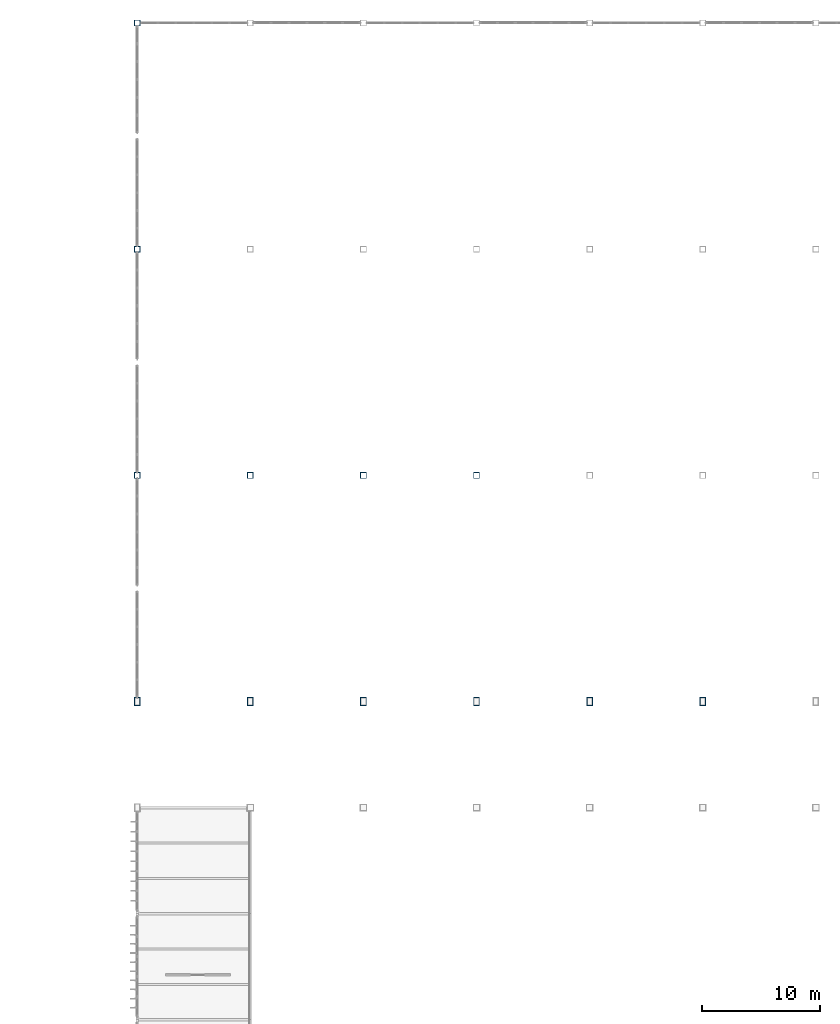
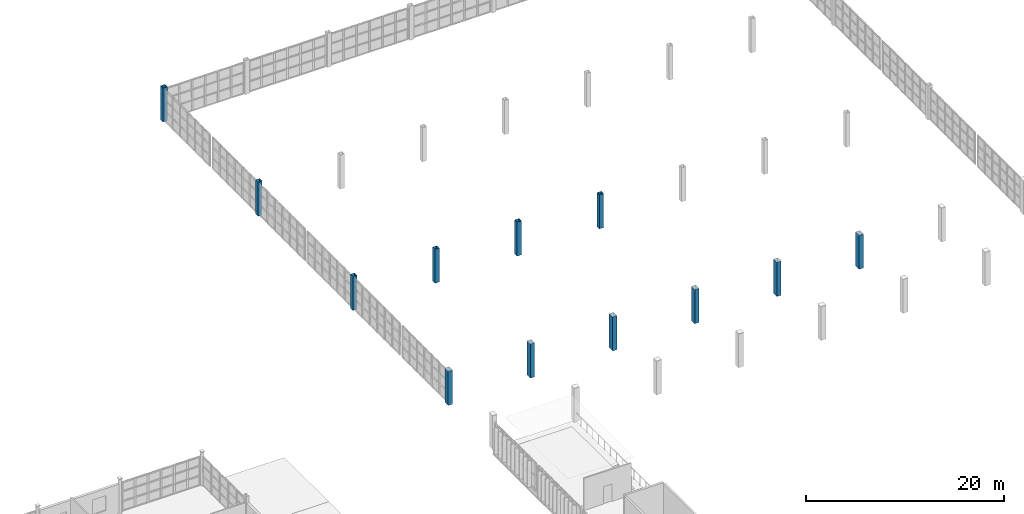
# One storey, part 8 of 82: 12 columns.
"""IFC4 building model written with IfcOpenShell, lengths in metres."""

from ifc_helpers import new_model, si_unit, direction, frame, origin, origin_2d, place, context, subcontext, project, spatial, hollow_rectangle, extrude, material, material_profile, profile_set, type_object, element, save


model = new_model("IFC4")

# Units and contexts
model_context = context("Model", 3, precision=1e-05, world=origin(), true_north=direction((0.0, 1.0)))
body_context = subcontext(model_context, "Body", "Model", "MODEL_VIEW")
ifc_project = project(units=[si_unit("LENGTHUNIT", "METRE"), si_unit("AREAUNIT", "SQUARE_METRE"), si_unit("VOLUMEUNIT", "CUBIC_METRE"), si_unit("PLANEANGLEUNIT", "RADIAN"), si_unit("MASSUNIT", "GRAM", prefix="KILO")], contexts=[model_context])

# Site, building, storey
site_placement = place(None, origin())
site = spatial("IfcSite", under=ifc_project, at=site_placement, CompositionType="ELEMENT")
building_placement = place(site_placement, origin())
building = spatial("IfcBuilding", under=site, at=building_placement, Name="Zarnetskaya Central Station", CompositionType="ELEMENT")
storey_placement = place(building_placement, frame((0.0, 0.0, 10.199951171875)))
storey = spatial("IfcBuildingStorey", under=building, at=storey_placement, Name="L02", CompositionType="ELEMENT", Elevation=10.199951171875)

# Columns
ifc_material = material(Name="Steel S355", Category="steel")
ifc_material_profile_1 = material_profile(ifc_material, hollow_rectangle(XDim=0.5, YDim=0.5, WallThickness=0.02490234375, at=origin_2d()), Name="BOX 500x500x25")
ifc_profile_set_1 = profile_set([ifc_material_profile_1], Name="Steel S355")
column_type_1 = type_object("IfcColumnType", Name="COL-V1-SHED", PredefinedType="COLUMN", material=ifc_profile_set_1)
for number, where, z_axis, x_axis, name in (
    (1, (57.60009765625, 86.39990234375, 0.0), (0.0, 0.0, 1.0), (1.0, 0.0, 0.0), "Column G11 L02"),
    (2, (57.60009765625, 105.60009765625, 0.0), (0.0, 0.0, 1.0), (1.0, 0.0, 0.0), "Column G13 L02"),
    (3, (57.60009765625, 124.800048828125, 0.0), (0.0, 0.0, 1.0), (1.0, 0.0, 0.0), "Column G15 L02"),
    (4, (67.199951171875, 86.39990234375, 0.0), (0.0, 0.0, 1.0), (1.0, 0.0, 0.0), "Column H11 L02"),
    (5, (76.800048828125, 86.39990234375, 0.0), (0.0, 0.0, 1.0), (1.0, 0.0, 0.0), "Column J11 L02"),
    (6, (86.39990234375, 86.39990234375, 0.0), (0.0, 0.0, 1.0), (1.0, 0.0, 0.0), "Column K11 L02"),
):
    element("IfcColumn", number, at=place(storey_placement, frame(where, z_axis=z_axis, x_axis=x_axis)), inside=storey, type_object=column_type_1, Name=name, PredefinedType="COLUMN", context=body_context, shape_type="SweptSolid", body=[
        extrude(hollow_rectangle(XDim=0.5, YDim=0.5, WallThickness=0.02490234375, at=origin_2d()), origin(), (0.0, 0.0, 1.0), 4.199951171875),
    ])
ifc_material_profile_2 = material_profile(ifc_material, hollow_rectangle(XDim=0.5, YDim=0.699951171875, WallThickness=0.031982421875, at=origin_2d()), Name="BOX 700x500x32")
ifc_profile_set_2 = profile_set([ifc_material_profile_2], Name="Steel S355")
column_type_2 = type_object("IfcColumnType", Name="COL-V2-HALL", PredefinedType="COLUMN", material=ifc_profile_set_2)
for number, where, z_axis, x_axis, name in (
    (7, (57.60009765625, 67.199951171875, 0.0), (0.0, 0.0, 1.0), (1.0, 0.0, 0.0), "Column G9 L02"),
    (8, (67.199951171875, 67.199951171875, 0.0), (0.0, 0.0, 1.0), (1.0, 0.0, 0.0), "Column H9 L02"),
    (9, (76.800048828125, 67.199951171875, 0.0), (0.0, 0.0, 1.0), (1.0, 0.0, 0.0), "Column J9 L02"),
    (10, (86.39990234375, 67.199951171875, 0.0), (0.0, 0.0, 1.0), (1.0, 0.0, 0.0), "Column K9 L02"),
    (11, (96.0, 67.199951171875, 0.0), (0.0, 0.0, 1.0), (1.0, 0.0, 0.0), "Column L9 L02"),
    (12, (105.60009765625, 67.199951171875, 0.0), (0.0, 0.0, 1.0), (1.0, 0.0, 0.0), "Column M9 L02"),
):
    element("IfcColumn", number, at=place(storey_placement, frame(where, z_axis=z_axis, x_axis=x_axis)), inside=storey, type_object=column_type_2, Name=name, PredefinedType="COLUMN", context=body_context, shape_type="SweptSolid", body=[
        extrude(hollow_rectangle(XDim=0.5, YDim=0.699951171875, WallThickness=0.031982421875, at=origin_2d()), origin(), (0.0, 0.0, 1.0), 4.18798828125),
    ])

save(model, "model.ifc")
